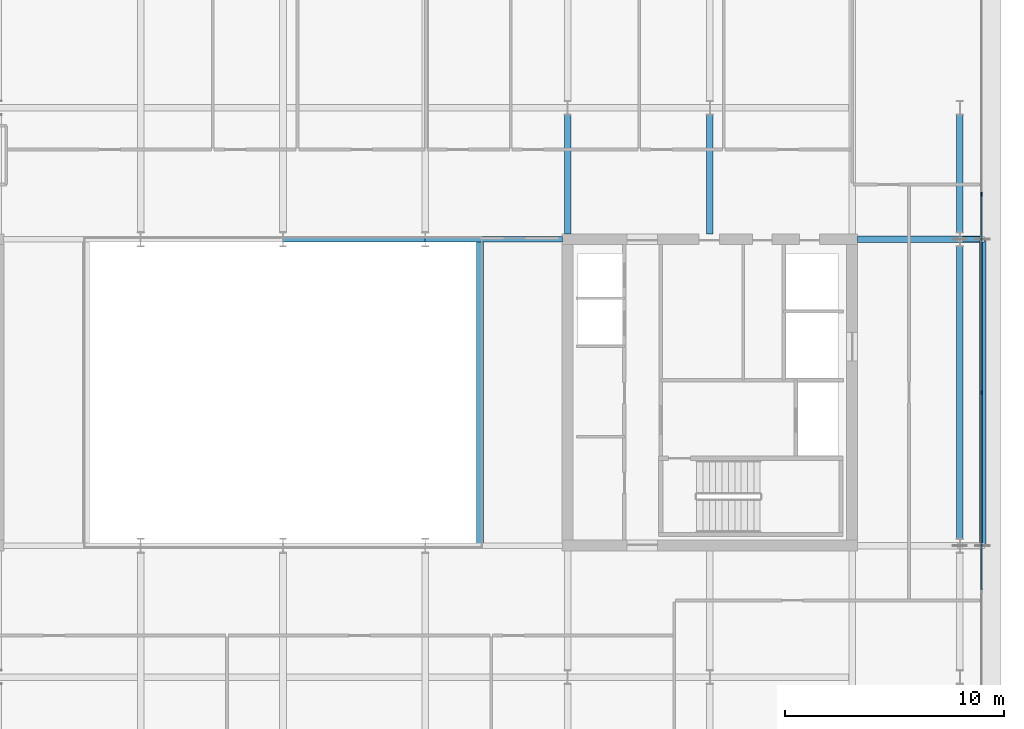
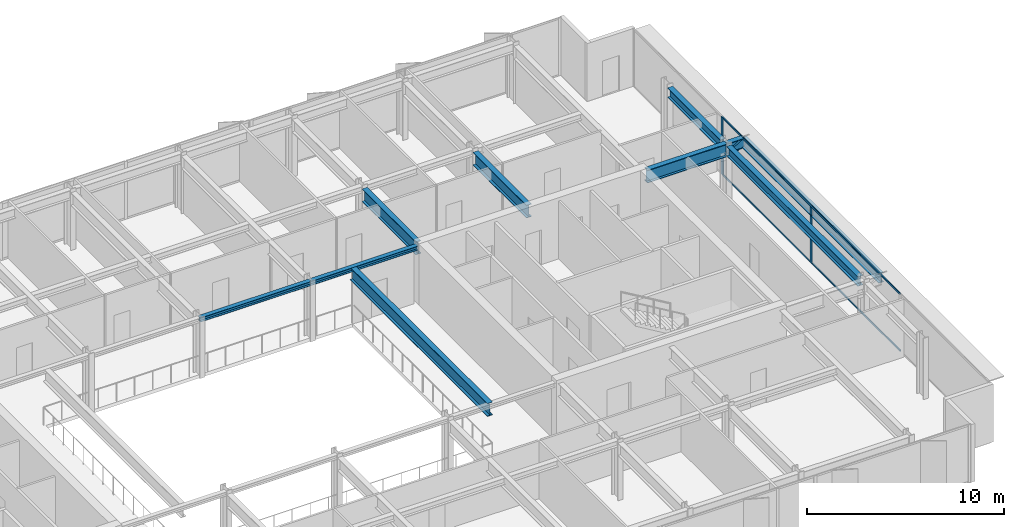
# One storey, part 7 of 19: 10 beams, 7 members, 1 element without a shape of its own.
"""IFC4 building model written with IfcOpenShell, lengths in metres."""

from ifc_helpers import new_model, si_unit, direction, frame, origin, origin_2d, place, context, subcontext, project, spatial, rectangle, hollow_rectangle, i_section, extrude, material, layer, layer_set, material_profile, profile_set, type_object, element, aggregate, save


model = new_model("IFC4")

# Units and contexts
model_context = context("Model", 3, precision=1e-05, world=origin(), true_north=direction((0.0, 1.0)))
body_context = subcontext(model_context, "Body", "Model", "MODEL_VIEW")
ifc_project = project(units=[si_unit("LENGTHUNIT", "METRE"), si_unit("AREAUNIT", "SQUARE_METRE"), si_unit("VOLUMEUNIT", "CUBIC_METRE"), si_unit("PLANEANGLEUNIT", "RADIAN"), si_unit("MASSUNIT", "GRAM", prefix="KILO")], contexts=[model_context])

# Site, building, storey
site_placement = place(None, origin())
site = spatial("IfcSite", under=ifc_project, at=site_placement, CompositionType="ELEMENT")
building_placement = place(site_placement, origin())
building = spatial("IfcBuilding", under=site, at=building_placement, Name="Putna Gate Headquarters", CompositionType="ELEMENT")
storey_placement = place(building_placement, frame((0.0, 0.0, 263.199951171875)))
storey = spatial("IfcBuildingStorey", under=building, at=storey_placement, Name="L66", CompositionType="ELEMENT", Elevation=263.199951171875)

# Beams
ifc_material_1 = material(Name="Steel S355J2", Category="steel")
ifc_material_profile_1 = material_profile(ifc_material_1, i_section(OverallWidth=0.260009765625, OverallDepth=0.260009765625, WebThickness=0.010009765625, FlangeThickness=0.017578125, at=origin_2d()), Name="Steel S355J2")
ifc_profile_set_1 = profile_set([ifc_material_profile_1], Name="Steel S355J2")
beam_type_1 = type_object("IfcBeamType", Name="BM-ATRIUM-HEB260", PredefinedType="BEAM", material=ifc_profile_set_1)
beam_1_placement = place(storey_placement, frame((39.006103515625, 33.0, 3.4580078125), z_axis=(1.0, 0.0, 0.0), x_axis=(0.0, 1.0, 0.0)))
element("IfcBeam", 1, at=beam_1_placement, inside=storey, type_object=beam_type_1, Name="L66 Atrium Edge Beam AN3", PredefinedType="BEAM", context=body_context, shape_type="SweptSolid", body=[
    extrude(i_section(OverallWidth=0.260009765625, OverallDepth=0.260009765625, WebThickness=0.010009765625, FlangeThickness=0.017578125, at=origin_2d()), origin(), (0.0, 0.0, 1.0), 6.48779296875),
])
beam_2_placement = place(storey_placement, frame((45.506103515625, 33.0, 3.4580078125), z_axis=(1.0, 0.0, 0.0), x_axis=(0.0, 1.0, 0.0)))
element("IfcBeam", 2, at=beam_2_placement, inside=storey, type_object=beam_type_1, Name="L66 Atrium Edge Beam AN4", PredefinedType="BEAM", context=body_context, shape_type="SweptSolid", body=[
    extrude(i_section(OverallWidth=0.260009765625, OverallDepth=0.260009765625, WebThickness=0.010009765625, FlangeThickness=0.017578125, at=origin_2d()), origin(), (0.0, 0.0, 1.0), 6.2587890625),
])
ifc_material_profile_2 = material_profile(ifc_material_1, i_section(OverallWidth=0.300048828125, OverallDepth=0.800048828125, WebThickness=0.017578125, FlangeThickness=0.032958984375, at=origin_2d()), Name="Steel S355J2")
ifc_profile_set_2 = profile_set([ifc_material_profile_2], Name="Steel S355J2")
beam_type_2 = type_object("IfcBeamType", Name="BM-GIRD-P-HEB800", PredefinedType="USERDEFINED", material=ifc_profile_set_2)
beam_3_placement = place(storey_placement, frame((65.235107421875, 33.0, 3.18798828125), z_axis=(1.0, 0.0, 0.0), x_axis=(0.0, 1.0, 0.0)))
element("IfcBeam", 3, at=beam_3_placement, inside=storey, type_object=beam_type_2, Name="L66 East Wing Girder Y33", ObjectType="GIRDER", PredefinedType="USERDEFINED", context=body_context, shape_type="SweptSolid", body=[
    extrude(i_section(OverallWidth=0.300048828125, OverallDepth=0.800048828125, WebThickness=0.017578125, FlangeThickness=0.032958984375, at=origin_2d()), origin(), (0.0, 0.0, 1.0), 4.678955078125),
])
for number, where, z_axis, x_axis, name in (
    (4, (52.0, 33.235107421875, 3.18798828125), (0.0, 1.0, 0.0), (-1.0, 0.0, 0.0), "L66 North Primary Girder X52-1"),
    (5, (58.5, 33.235107421875, 3.18798828125), (0.0, 1.0, 0.0), (-1.0, 0.0, 0.0), "L66 North Primary Girder X58-1"),
):
    element("IfcBeam", number, at=place(storey_placement, frame(where, z_axis=z_axis, x_axis=x_axis)), inside=storey, type_object=beam_type_2, Name=name, ObjectType="GIRDER", PredefinedType="USERDEFINED", context=body_context, shape_type="SweptSolid", body=[
        extrude(i_section(OverallWidth=0.300048828125, OverallDepth=0.800048828125, WebThickness=0.017578125, FlangeThickness=0.032958984375, at=origin_2d()), origin(), (0.0, 0.0, 1.0), 5.44287109375),
    ])
beam_4_placement = place(storey_placement, frame((48.0, 19.010009765625, 3.18798828125), z_axis=(0.0, 1.0, 0.0), x_axis=(-1.0, 0.0, 0.0)))
element("IfcBeam", 6, at=beam_4_placement, inside=storey, type_object=beam_type_2, Name="L66 Atrium Trim Girder AE", ObjectType="GIRDER", PredefinedType="USERDEFINED", context=body_context, shape_type="SweptSolid", body=[
    extrude(i_section(OverallWidth=0.300048828125, OverallDepth=0.800048828125, WebThickness=0.017578125, FlangeThickness=0.032958984375, at=origin_2d()), origin(), (0.0, 0.0, 1.0), 13.97998046875),
])
ifc_material_profile_3 = material_profile(ifc_material_1, i_section(OverallWidth=0.300048828125, OverallDepth=0.60009765625, WebThickness=0.015380859375, FlangeThickness=0.030029296875, at=origin_2d()), Name="Steel S355J2")
ifc_profile_set_3 = profile_set([ifc_material_profile_3], Name="Steel S355J2")
beam_type_3 = type_object("IfcBeamType", Name="BM-GIRD-SAIL-HEB600", PredefinedType="USERDEFINED", material=ifc_profile_set_3)
beam_5_placement = place(storey_placement, frame((69.926025390625, 33.0, 3.2880859375), z_axis=(1.0, 0.0, 0.0), x_axis=(0.0, 1.0, 0.0)))
element("IfcBeam", 7, at=beam_5_placement, inside=storey, type_object=beam_type_3, Name="L66 East Sail Outrigger Bracket Y33", ObjectType="GIRDER", PredefinedType="USERDEFINED", context=body_context, shape_type="SweptSolid", body=[
    extrude(i_section(OverallWidth=0.300048828125, OverallDepth=0.60009765625, WebThickness=0.015380859375, FlangeThickness=0.030029296875, at=origin_2d()), origin(), (0.0, 0.0, 1.0), 1.0390625),
])
ifc_material_profile_4 = material_profile(ifc_material_1, i_section(OverallWidth=0.300048828125, OverallDepth=0.590087890625, WebThickness=0.012939453125, FlangeThickness=0.02490234375, at=origin_2d()), Name="Steel S355J2")
ifc_profile_set_4 = profile_set([ifc_material_profile_4], Name="Steel S355J2")
beam_type_4 = type_object("IfcBeamType", Name="BM-SPAN-Z4-HEA600", PredefinedType="SPANDREL", material=ifc_profile_set_4)
beam_6_placement = place(storey_placement, frame((69.919921875, 19.322021484375, 3.29296875), z_axis=(0.0, 1.0, 0.0), x_axis=(-1.0, 0.0, 0.0)))
element("IfcBeam", 8, at=beam_6_placement, inside=storey, type_object=beam_type_4, Name="L66 E End Spandrel 2", PredefinedType="SPANDREL", context=body_context, shape_type="SweptSolid", body=[
    extrude(i_section(OverallWidth=0.300048828125, OverallDepth=0.590087890625, WebThickness=0.012939453125, FlangeThickness=0.02490234375, at=origin_2d()), origin(), (0.0, 0.0, 1.0), 13.35595703125),
])
beam_7_placement = place(storey_placement, frame((69.919921875, 33.322021484375, 3.29296875), z_axis=(0.0, 1.0, 0.0), x_axis=(-1.0, 0.0, 0.0)))
element("IfcBeam", 9, at=beam_7_placement, inside=storey, type_object=beam_type_4, Name="L66 E End Spandrel 3", PredefinedType="SPANDREL", context=body_context, shape_type="SweptSolid", body=[
    extrude(i_section(OverallWidth=0.300048828125, OverallDepth=0.590087890625, WebThickness=0.012939453125, FlangeThickness=0.02490234375, at=origin_2d()), origin(), (0.0, 0.0, 1.0), 5.35595703125),
])
beam_8_placement = place(storey_placement, frame((70.965087890625, 19.02001953125, 3.29296875), z_axis=(0.0, 1.0, 0.0), x_axis=(-1.0, 0.0, 0.0)))
element("IfcBeam", 10, at=beam_8_placement, inside=storey, type_object=beam_type_4, Name="L66 East Sail Edge Spandrel", PredefinedType="SPANDREL", context=body_context, shape_type="SweptSolid", body=[
    extrude(i_section(OverallWidth=0.300048828125, OverallDepth=0.590087890625, WebThickness=0.012939453125, FlangeThickness=0.02490234375, at=origin_2d()), origin(), (0.0, 0.0, 1.0), 13.9599609375),
])

# Member
ifc_material_2 = material(Name="Steel S460M", Category="steel")
ifc_material_profile_5 = material_profile(ifc_material_2, hollow_rectangle(XDim=0.25, YDim=0.39990234375, WallThickness=0.01611328125, at=origin_2d()), Name="Steel S460M")
ifc_profile_set_5 = profile_set([ifc_material_profile_5], Name="Steel S460M")
member_type_1 = type_object("IfcMemberType", Name="MEM-SAIL-BRACE-RHS400", PredefinedType="BRACE", material=ifc_profile_set_5)
member_1_placement = place(storey_placement, frame((69.93212890625, 33.0, 2.76025390625), z_axis=(0.859639939192, 0.0, 0.51090035716), x_axis=(0.0, 1.0, 0.0)))
element("IfcMember", 11, at=member_1_placement, inside=storey, type_object=member_type_1, Name="L66 East Sail Cantilever Raker Y33", PredefinedType="BRACE", context=body_context, shape_type="SweptSolid", body=[
    extrude(hollow_rectangle(XDim=0.25, YDim=0.39990234375, WallThickness=0.01611328125, at=origin_2d()), origin(), (0.0, 0.0, 1.0), 1.169921875),
])

# Curtain wall, members
ifc_material_3 = material(Name="Anodised bronze aluminium curtain wall", Category="aluminium")
ifc_layer = layer(ifc_material_3, 0.179931640625)
ifc_layer_set = layer_set([ifc_layer], Name="Anodised bronze aluminium curtain wall")
curtain_wall_type = type_object("IfcCurtainWallType", Name="CW-SYS-Z5", PredefinedType="USERDEFINED", material=ifc_layer_set)
curtain_wall_placement = place(storey_placement, origin())
curtain_wall = element("IfcCurtainWall", 12, at=curtain_wall_placement, inside=storey, type_object=curtain_wall_type, Name="L66 East Curtain Wall", ObjectType="STICK CURTAIN WALL", PredefinedType="USERDEFINED")
ifc_material_4 = material(Name="Anodised bronze aluminium EN AW-6060", Category="aluminium")
ifc_material_profile_6 = material_profile(ifc_material_4, rectangle(XDim=0.070068359375, YDim=0.179931640625, at=origin_2d()), Name="Anodised bronze aluminium EN AW-6060")
ifc_profile_set_6 = profile_set([ifc_material_profile_6], Name="Anodised bronze aluminium EN AW-6060")
member_type_2 = type_object("IfcMemberType", Name="MULL-CWM-5", PredefinedType="MULLION", material=ifc_profile_set_6)
member_2_placement = place(storey_placement, frame((70.908935546875, 26.0, 0.0), z_axis=(0.0, 0.0, 1.0), x_axis=(-1.0, 0.0, 0.0)))
member_2 = element("IfcMember", 13, at=member_2_placement, type_object=member_type_2, Name="CWS-5 mullion 3", PredefinedType="MULLION", context=body_context, shape_type="SweptSolid", body=[
    extrude(rectangle(XDim=0.070068359375, YDim=0.179931640625, at=origin_2d()), origin(), (0.0, 0.0, 1.0), 3.588134765625),
])
member_3_placement = place(storey_placement, frame((70.908935546875, 35.050048828125, 0.0), z_axis=(0.0, 0.0, 1.0), x_axis=(-1.0, 0.0, 0.0)))
member_3 = element("IfcMember", 14, at=member_3_placement, type_object=member_type_2, Name="CWS-5 mullion 4", PredefinedType="MULLION", context=body_context, shape_type="SweptSolid", body=[
    extrude(rectangle(XDim=0.070068359375, YDim=0.179931640625, at=origin_2d()), origin(), (0.0, 0.0, 1.0), 3.588134765625),
])
ifc_material_profile_7 = material_profile(ifc_material_4, rectangle(XDim=0.06005859375, YDim=0.10009765625, at=origin_2d()), Name="Anodised bronze aluminium EN AW-6060")
ifc_profile_set_7 = profile_set([ifc_material_profile_7], Name="Anodised bronze aluminium EN AW-6060")
member_type_3 = type_object("IfcMemberType", Name="TRAN-CWT-5", PredefinedType="USERDEFINED", material=ifc_profile_set_7)
member_4_placement = place(storey_placement, frame((70.908935546875, 16.985107421875, 0.030029296875), z_axis=(0.0, 1.0, 0.0), x_axis=(-1.0, 0.0, 0.0)))
member_4 = element("IfcMember", 15, at=member_4_placement, type_object=member_type_3, Name="CWS-5 transom 2.1", ObjectType="TRANSOM", PredefinedType="USERDEFINED", context=body_context, shape_type="SweptSolid", body=[
    extrude(rectangle(XDim=0.06005859375, YDim=0.10009765625, at=origin_2d()), origin(), (0.0, 0.0, 1.0), 8.97998046875),
])
member_5_placement = place(storey_placement, frame((70.908935546875, 16.985107421875, 3.55810546875), z_axis=(0.0, 1.0, 0.0), x_axis=(-1.0, 0.0, 0.0)))
member_5 = element("IfcMember", 16, at=member_5_placement, type_object=member_type_3, Name="CWS-5 transom 2.2", ObjectType="TRANSOM", PredefinedType="USERDEFINED", context=body_context, shape_type="SweptSolid", body=[
    extrude(rectangle(XDim=0.06005859375, YDim=0.10009765625, at=origin_2d()), origin(), (0.0, 0.0, 1.0), 8.97998046875),
])
member_6_placement = place(storey_placement, frame((70.908935546875, 26.034912109375, 0.030029296875), z_axis=(0.0, 1.0, 0.0), x_axis=(-1.0, 0.0, 0.0)))
member_6 = element("IfcMember", 17, at=member_6_placement, type_object=member_type_3, Name="CWS-5 transom 3.1", ObjectType="TRANSOM", PredefinedType="USERDEFINED", context=body_context, shape_type="SweptSolid", body=[
    extrude(rectangle(XDim=0.06005859375, YDim=0.10009765625, at=origin_2d()), origin(), (0.0, 0.0, 1.0), 8.97998046875),
])
member_7_placement = place(storey_placement, frame((70.908935546875, 26.034912109375, 3.55810546875), z_axis=(0.0, 1.0, 0.0), x_axis=(-1.0, 0.0, 0.0)))
member_7 = element("IfcMember", 18, at=member_7_placement, type_object=member_type_3, Name="CWS-5 transom 3.2", ObjectType="TRANSOM", PredefinedType="USERDEFINED", context=body_context, shape_type="SweptSolid", body=[
    extrude(rectangle(XDim=0.06005859375, YDim=0.10009765625, at=origin_2d()), origin(), (0.0, 0.0, 1.0), 8.97998046875),
])
aggregate(curtain_wall, [member_2, member_3, member_4, member_5, member_6, member_7])

save(model, "model.ifc")
